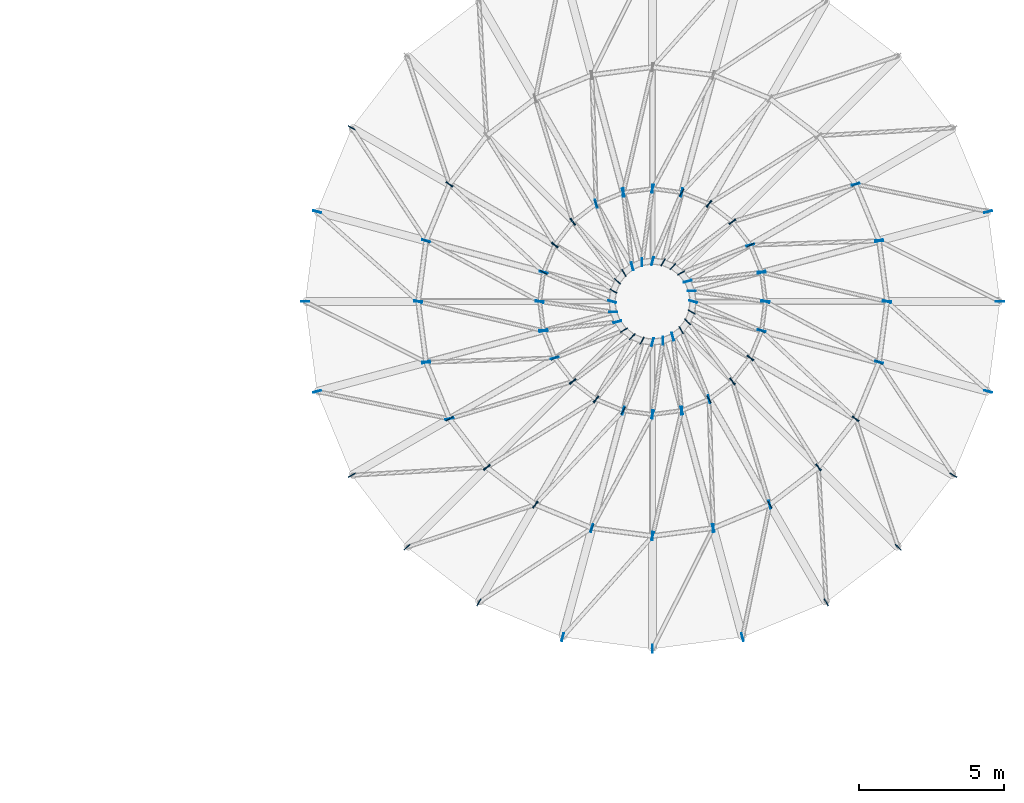
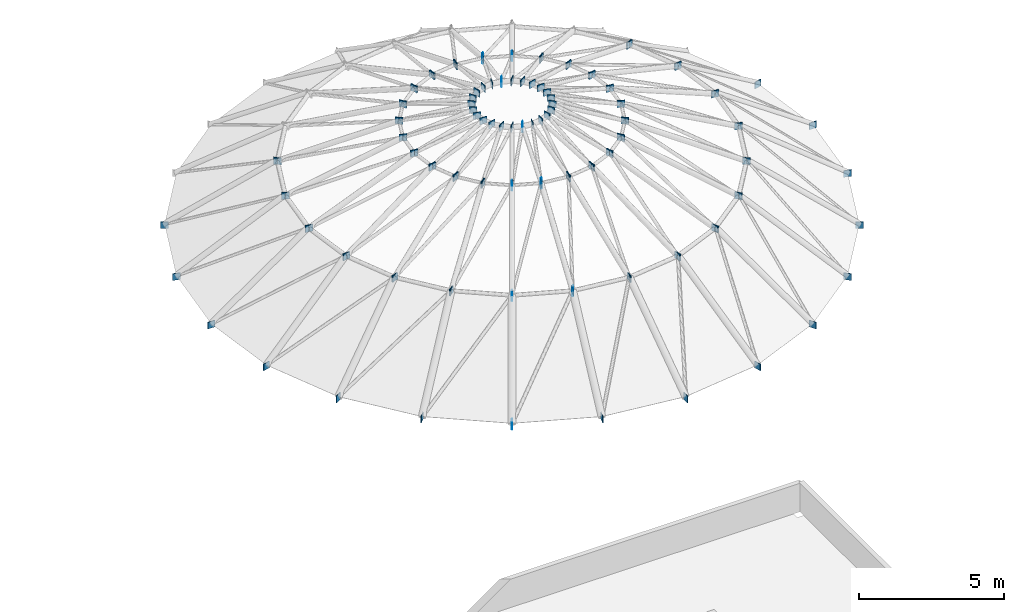
# One storey, part 27 of 32: 122 discrete accessories.
"""IFC4 building model written with IfcOpenShell, lengths in metres."""

import ifcopenshell
import ifcopenshell.guid

model = None  # the IFC model being written
_history = None  # IfcOwnerHistory: only IFC2X3 demands one
_inside = {}  # id of a spatial element -> (the spatial element, [elements in it])
_under = {}  # id of a project, library or spatial element -> (it, [spatial elements below it])
_declared = {}  # id of a project -> (the project, [libraries it declares])
_typed = {}  # id of a type object -> (the type object, [elements of that type])
_made_of = {}  # id of a material, layer set ... -> (it, [elements and type objects made of it])


def new_model(schema):
    """Start an empty IFC model of exactly this schema.

    Asked for "IFC4X3", IfcOpenShell would pick the latest addendum, in which some entities
    have other attributes; the version numbers below select the first issue.
    IFC2X3 requires an IfcOwnerHistory on every rooted entity: one is made here for all.
    """
    global model, _history
    if schema == "IFC4X3":
        model = ifcopenshell.file(schema_version=(4, 3, 0, 0))
    else:
        model = ifcopenshell.file(schema=schema)
    _inside.clear()
    _under.clear()
    _declared.clear()
    _typed.clear()
    _made_of.clear()
    _history = None
    if model.schema == "IFC2X3":
        org = make("IfcOrganization", Name="unknown")
        user = make(
            "IfcPersonAndOrganization",
            ThePerson=make("IfcPerson", FamilyName="unknown"),
            TheOrganization=org,
        )
        app = make(
            "IfcApplication",
            ApplicationDeveloper=org,
            Version="unknown",
            ApplicationFullName="unknown",
            ApplicationIdentifier="unknown",
        )
        _history = make(
            "IfcOwnerHistory",
            OwningUser=user,
            OwningApplication=app,
            ChangeAction="ADDED",
            CreationDate=0,
        )
    return model


def make(cls, **values):
    """One entity of the class cls with the attributes given. An attribute that is None is left unset."""
    return model.create_entity(
        cls, **{name: value for name, value in values.items() if value is not None}
    )


def rooted(cls, **values):
    """An entity with a GlobalId (a new one), such as an element, a storey or a relation."""
    return make(cls, GlobalId=ifcopenshell.guid.new(), OwnerHistory=_history, **values)


def si_unit(unit_type, name, prefix=None):
    """IfcSIUnit, for example si_unit("LENGTHUNIT", "METRE", prefix="MILLI")."""
    return make("IfcSIUnit", UnitType=unit_type, Prefix=prefix, Name=name)


def assignment(units):
    """IfcUnitAssignment: the units of a project."""
    return None if units is None else make("IfcUnitAssignment", Units=units)


def point(xyz):
    """IfcCartesianPoint."""
    return None if xyz is None else make("IfcCartesianPoint", Coordinates=xyz)


def direction(xyz):
    """IfcDirection."""
    return None if xyz is None else make("IfcDirection", DirectionRatios=xyz)


def frame(location, z_axis=None, x_axis=None):
    """IfcAxis2Placement3D, a coordinate frame: its origin and axes. An axis left out is left unset."""
    return make(
        "IfcAxis2Placement3D",
        Location=point(location),
        Axis=direction(z_axis),
        RefDirection=direction(x_axis),
    )


def frame_2d(location, x_axis=None):
    """IfcAxis2Placement2D, a coordinate frame in the plane: its origin and x axis."""
    return make(
        "IfcAxis2Placement2D", Location=point(location), RefDirection=direction(x_axis)
    )


def origin():
    """The frame at (0, 0, 0) with its axes left unset."""
    return frame((0.0, 0.0, 0.0))


def origin_2d():
    """The frame at (0, 0) in the plane with its x axis left unset."""
    return frame_2d((0.0, 0.0))


def place(relative_to, where):
    """IfcLocalPlacement: puts the frame where relative to a parent placement (None: the world)."""
    return make(
        "IfcLocalPlacement", PlacementRelTo=relative_to, RelativePlacement=where
    )


def context(
    kind, dimensions, precision=None, world=None, true_north=None, identifier=None
):
    """IfcGeometricRepresentationContext, for example the 3D "Model" context."""
    return make(
        "IfcGeometricRepresentationContext",
        ContextIdentifier=identifier,
        ContextType=kind,
        CoordinateSpaceDimension=dimensions,
        Precision=precision,
        WorldCoordinateSystem=world,
        TrueNorth=true_north,
    )


def subcontext(parent, identifier, kind, view, scale=None):
    """IfcGeometricRepresentationSubContext, for example "Body" below "Model"."""
    return make(
        "IfcGeometricRepresentationSubContext",
        ContextIdentifier=identifier,
        ContextType=kind,
        ParentContext=parent,
        TargetScale=scale,
        TargetView=view,
    )


def project(units=None, contexts=None):
    """IfcProject with its units and contexts."""
    return rooted(
        "IfcProject",
        Name="project",
        RepresentationContexts=contexts,
        UnitsInContext=assignment(units),
    )


def spatial(cls, under=None, at=None, **own):
    """A site, building, storey or space (cls), placed at a placement, below another one or the project."""
    s = rooted(cls, ObjectPlacement=at, **own)
    if under is not None:
        _under.setdefault(under.id(), (under, []))[1].append(s)
    return s


def profile(cls, at=None, kind="AREA", **sizes):
    """A parametric profile (cls). Its sizes go by their IFC names, for example OverallWidth=200.0."""
    return make(cls, ProfileType=kind, Position=at, **sizes)


def rectangle(**sizes):
    """IfcRectangleProfileDef."""
    return profile("IfcRectangleProfileDef", **sizes)


def extrude(swept, where, along, depth):
    """IfcExtrudedAreaSolid: the profile swept, set in the frame where, extruded along a direction by depth."""
    return make(
        "IfcExtrudedAreaSolid",
        SweptArea=swept,
        Position=where,
        ExtrudedDirection=direction(along),
        Depth=depth,
    )


def shape(context_of_items, identifier, shape_type, items):
    """IfcShapeRepresentation: the items that make up one representation, for example the "Body"."""
    return make(
        "IfcShapeRepresentation",
        ContextOfItems=context_of_items,
        RepresentationIdentifier=identifier,
        RepresentationType=shape_type,
        Items=items,
    )


def material(Name=None, Category=None):
    """IfcMaterial."""
    return make("IfcMaterial", Name=Name, Category=Category)


def made_of(thing, what):
    """Note that an element or type object is made of a material, layer set ...; save() writes the relation."""
    if what is not None:
        _made_of.setdefault(what.id(), (what, []))[1].append(thing)
    return thing


def type_object(cls, material=None, **own):
    """A type object (cls), such as IfcWallType, which elements share."""
    return made_of(rooted(cls, **own), material)


def element(
    cls,
    number,
    at=None,
    inside=None,
    cuts=None,
    type_object=None,
    material=None,
    context=None,
    identifier="Body",
    shape_type=None,
    held_by="IfcProductDefinitionShape",
    body=None,
    shapes=None,
    **own,
):
    """One element of the class cls, such as IfcWall. Its Tag is "e" and its number.

    at: its placement. inside: the storey or other place that contains it. cuts: it is an
    opening in that element (IfcRelVoidsElement). A single representation is given by context,
    identifier, shape_type and body (its items); several are given by shapes. held_by: the class
    of the entity that holds the representations. save() writes the other relations.
    """
    e = rooted(cls, Tag="e%d" % number, ObjectPlacement=at, **own)
    if body is not None:
        shapes = [shape(context, identifier, shape_type, body)]
    if shapes is not None:
        e.Representation = make(held_by, Representations=shapes)
    if inside is not None:
        _inside.setdefault(inside.id(), (inside, []))[1].append(e)
    if cuts is not None:
        rooted(
            "IfcRelVoidsElement", RelatingBuildingElement=cuts, RelatedOpeningElement=e
        )
    if type_object is not None:
        _typed.setdefault(type_object.id(), (type_object, []))[1].append(e)
    return made_of(e, material)


def aggregate(whole, parts):
    """IfcRelAggregates: a whole, such as a stair, and the parts it consists of."""
    return rooted("IfcRelAggregates", RelatingObject=whole, RelatedObjects=parts)


def save(model, path):
    """Write the relations noted so far, then the file.

    IfcRelAggregates (storeys below a building ...), IfcRelContainedInSpatialStructure (elements
    in a storey), IfcRelDefinesByType, IfcRelAssociatesMaterial and IfcRelDeclares: one each for
    every whole, place, type object, material and project.
    """
    for whole, parts in _under.values():
        aggregate(whole, parts)
    for where, things in _inside.values():
        rooted(
            "IfcRelContainedInSpatialStructure",
            RelatedElements=things,
            RelatingStructure=where,
        )
    for kind, things in _typed.values():
        rooted("IfcRelDefinesByType", RelatedObjects=things, RelatingType=kind)
    for what, things in _made_of.values():
        rooted("IfcRelAssociatesMaterial", RelatedObjects=things, RelatingMaterial=what)
    for by, libraries in _declared.values():
        rooted("IfcRelDeclares", RelatingContext=by, RelatedDefinitions=libraries)
    model.write(path)


model = new_model("IFC4")

# Units and contexts
model_context = context("Model", 3, precision=1e-05, world=origin(), true_north=direction((0.0, 1.0)))
body_context = subcontext(model_context, "Body", "Model", "MODEL_VIEW")
ifc_project = project(units=[si_unit("LENGTHUNIT", "METRE"), si_unit("AREAUNIT", "SQUARE_METRE"), si_unit("VOLUMEUNIT", "CUBIC_METRE"), si_unit("PLANEANGLEUNIT", "RADIAN"), si_unit("MASSUNIT", "GRAM", prefix="KILO")], contexts=[model_context])

# Site, building, storey
site_placement = place(None, origin())
site = spatial("IfcSite", under=ifc_project, at=site_placement, CompositionType="ELEMENT")
building_placement = place(site_placement, origin())
building = spatial("IfcBuilding", under=site, at=building_placement, Name="Kandorven Conservatory and Botanical Research Centre", CompositionType="ELEMENT")
storey_placement = place(building_placement, frame((0.0, 0.0, 17.10009765625)))
storey = spatial("IfcBuildingStorey", under=building, at=storey_placement, Name="L04", CompositionType="ELEMENT", Elevation=17.10009765625)

# Discrete accessories
ifc_material = material(Name="Steel S355 (IS 2062 E350)", Category="steel")
discrete_accessory_type = type_object("IfcDiscreteAccessoryType", Name="BraceGussetPlate", PredefinedType="BRACKET", material=ifc_material)
for number, where, z_axis, x_axis, name in (
    (1, (99.60009765625, 47.800048828125, 0.4599609375), (0.0, 0.0, 1.0), (1.0, 0.0, 0.0), "Conservatory dome node gusset plate T3-S01-A"),
    (2, (95.424072265625, 49.896484375, 3.15966796875), (0.0, 0.0, 1.0), (1.0, 0.0, 0.0), "Conservatory dome node gusset plate T3-S01-B"),
    (3, (99.191162109375, 50.90576171875, 0.4599609375), (0.0, 0.0, 1.0), (0.965925826289, 0.258819045103, 0.0), "Conservatory dome node gusset plate T3-S02-A"),
    (4, (94.61474609375, 51.85009765625, 3.15966796875), (0.0, 0.0, 1.0), (0.965925826289, 0.258819045103, 0.0), "Conservatory dome node gusset plate T3-S02-B"),
    (5, (80.585205078125, 51.85009765625, 3.15966796875), (0.0, 0.0, 1.0), (-0.707106781187, 0.707106781187, 0.0), "Conservatory dome node gusset plate T3-S10-B"),
    (6, (77.207763671875, 53.800048828125, 0.4599609375), (0.0, 0.0, 1.0), (-0.866025403784, 0.5, 0.0), "Conservatory dome node gusset plate T3-S11-A"),
    (7, (79.77587890625, 49.896484375, 3.15966796875), (0.0, 0.0, 1.0), (-0.866025403784, 0.5, 0.0), "Conservatory dome node gusset plate T3-S11-B"),
    (8, (76.0087890625, 50.90576171875, 0.4599609375), (0.0, 0.0, 1.0), (-0.965925826289, 0.258819045103, 0.0), "Conservatory dome node gusset plate T3-S12-A"),
    (9, (79.5, 47.800048828125, 3.15966796875), (0.0, 0.0, 1.0), (-0.965925826289, 0.258819045103, 0.0), "Conservatory dome node gusset plate T3-S12-B"),
    (10, (75.60009765625, 47.800048828125, 0.4599609375), (0.0, 0.0, 1.0), (-1.0, 0.0, 0.0), "Conservatory dome node gusset plate T3-S13-A"),
    (11, (79.77587890625, 45.70361328125, 3.15966796875), (0.0, 0.0, 1.0), (-1.0, 0.0, 0.0), "Conservatory dome node gusset plate T3-S13-B"),
    (12, (76.0087890625, 44.694091796875, 0.4599609375), (0.0, 0.0, 1.0), (-0.965925826289, -0.258819045103, 0.0), "Conservatory dome node gusset plate T3-S14-A"),
    (13, (80.585205078125, 43.75, 3.15966796875), (0.0, 0.0, 1.0), (-0.965925826289, -0.258819045103, 0.0), "Conservatory dome node gusset plate T3-S14-B"),
    (14, (77.207763671875, 41.800048828125, 0.4599609375), (0.0, 0.0, 1.0), (-0.866025403784, -0.5, 0.0), "Conservatory dome node gusset plate T3-S15-A"),
    (15, (81.872314453125, 42.072509765625, 3.15966796875), (0.0, 0.0, 1.0), (-0.866025403784, -0.5, 0.0), "Conservatory dome node gusset plate T3-S15-B"),
    (16, (79.11474609375, 39.314697265625, 0.4599609375), (0.0, 0.0, 1.0), (-0.707106781187, -0.707106781187, 0.0), "Conservatory dome node gusset plate T3-S16-A"),
    (17, (83.550048828125, 40.78515625, 3.15966796875), (0.0, 0.0, 1.0), (-0.707106781187, -0.707106781187, 0.0), "Conservatory dome node gusset plate T3-S16-B"),
    (18, (81.60009765625, 37.40771484375, 0.4599609375), (0.0, 0.0, 1.0), (-0.5, -0.866025403784, 0.0), "Conservatory dome node gusset plate T3-S17-A"),
    (19, (85.503662109375, 39.97607421875, 3.15966796875), (0.0, 0.0, 1.0), (-0.5, -0.866025403784, 0.0), "Conservatory dome node gusset plate T3-S17-B"),
    (20, (84.494140625, 36.208984375, 0.4599609375), (0.0, 0.0, 1.0), (-0.258819045103, -0.965925826289, 0.0), "Conservatory dome node gusset plate T3-S18-A"),
    (21, (87.60009765625, 39.699951171875, 3.15966796875), (0.0, 0.0, 1.0), (-0.258819045103, -0.965925826289, 0.0), "Conservatory dome node gusset plate T3-S18-B"),
    (22, (87.60009765625, 35.800048828125, 0.4599609375), (0.0, 0.0, 1.0), (0.0, -1.0, 0.0), "Conservatory dome node gusset plate T3-S19-A"),
    (23, (89.6962890625, 39.97607421875, 3.15966796875), (0.0, 0.0, 1.0), (0.0, -1.0, 0.0), "Conservatory dome node gusset plate T3-S19-B"),
    (24, (90.705810546875, 36.208984375, 0.4599609375), (0.0, 0.0, 1.0), (0.258819045103, -0.965925826289, 0.0), "Conservatory dome node gusset plate T3-S20-A"),
    (25, (91.64990234375, 40.78515625, 3.15966796875), (0.0, 0.0, 1.0), (0.258819045103, -0.965925826289, 0.0), "Conservatory dome node gusset plate T3-S20-B"),
    (26, (93.60009765625, 37.40771484375, 0.4599609375), (0.0, 0.0, 1.0), (0.5, -0.866025403784, 0.0), "Conservatory dome node gusset plate T3-S21-A"),
    (27, (93.32763671875, 42.072509765625, 3.15966796875), (0.0, 0.0, 1.0), (0.5, -0.866025403784, 0.0), "Conservatory dome node gusset plate T3-S21-B"),
    (28, (96.085205078125, 39.314697265625, 0.4599609375), (0.0, 0.0, 1.0), (0.707106781187, -0.707106781187, 0.0), "Conservatory dome node gusset plate T3-S22-A"),
    (29, (94.61474609375, 43.75, 3.15966796875), (0.0, 0.0, 1.0), (0.707106781187, -0.707106781187, 0.0), "Conservatory dome node gusset plate T3-S22-B"),
    (30, (97.9921875, 41.800048828125, 0.4599609375), (0.0, 0.0, 1.0), (0.866025403784, -0.5, 0.0), "Conservatory dome node gusset plate T3-S23-A"),
    (31, (95.424072265625, 45.70361328125, 3.15966796875), (0.0, 0.0, 1.0), (0.866025403784, -0.5, 0.0), "Conservatory dome node gusset plate T3-S23-B"),
    (32, (99.191162109375, 44.694091796875, 0.4599609375), (0.0, 0.0, 1.0), (0.965925826289, -0.258819045103, 0.0), "Conservatory dome node gusset plate T3-S24-A"),
    (33, (95.699951171875, 47.800048828125, 3.15966796875), (0.0, 0.0, 1.0), (0.965925826289, -0.258819045103, 0.0), "Conservatory dome node gusset plate T3-S24-B"),
    (34, (95.699951171875, 47.800048828125, 3.15966796875), (0.0, 0.0, 1.0), (1.0, 0.0, 0.0), "Conservatory dome node gusset plate T4-S01-A"),
    (35, (91.3671875, 48.809326171875, 4.85986328125), (0.0, 0.0, 1.0), (1.0, 0.0, 0.0), "Conservatory dome node gusset plate T4-S01-B"),
    (36, (95.424072265625, 49.896484375, 3.15966796875), (0.0, 0.0, 1.0), (0.965925826289, 0.258819045103, 0.0), "Conservatory dome node gusset plate T4-S02-A"),
    (37, (90.9775390625, 49.75, 4.85986328125), (0.0, 0.0, 1.0), (0.965925826289, 0.258819045103, 0.0), "Conservatory dome node gusset plate T4-S02-B"),
    (38, (94.61474609375, 51.85009765625, 3.15966796875), (0.0, 0.0, 1.0), (0.866025403784, 0.5, 0.0), "Conservatory dome node gusset plate T4-S03-A"),
    (39, (90.357666015625, 50.5576171875, 4.85986328125), (0.0, 0.0, 1.0), (0.866025403784, 0.5, 0.0), "Conservatory dome node gusset plate T4-S03-B"),
    (40, (89.550048828125, 51.177490234375, 4.85986328125), (0.0, 0.0, 1.0), (0.707106781187, 0.707106781187, 0.0), "Conservatory dome node gusset plate T4-S04-B"),
    (41, (88.609375, 51.567138671875, 4.85986328125), (0.0, 0.0, 1.0), (0.5, 0.866025403784, 0.0), "Conservatory dome node gusset plate T4-S05-B"),
    (42, (87.60009765625, 51.699951171875, 4.85986328125), (0.0, 0.0, 1.0), (0.258819045103, 0.965925826289, 0.0), "Conservatory dome node gusset plate T4-S06-B"),
    (43, (86.590576171875, 51.567138671875, 4.85986328125), (0.0, 0.0, 1.0), (0.0, 1.0, 0.0), "Conservatory dome node gusset plate T4-S07-B"),
    (44, (85.64990234375, 51.177490234375, 4.85986328125), (0.0, 0.0, 1.0), (-0.258819045103, 0.965925826289, 0.0), "Conservatory dome node gusset plate T4-S08-B"),
    (45, (84.84228515625, 50.5576171875, 4.85986328125), (0.0, 0.0, 1.0), (-0.5, 0.866025403784, 0.0), "Conservatory dome node gusset plate T4-S09-B"),
    (46, (84.222412109375, 49.75, 4.85986328125), (0.0, 0.0, 1.0), (-0.707106781187, 0.707106781187, 0.0), "Conservatory dome node gusset plate T4-S10-B"),
    (47, (80.585205078125, 51.85009765625, 3.15966796875), (0.0, 0.0, 1.0), (-0.866025403784, 0.5, 0.0), "Conservatory dome node gusset plate T4-S11-A"),
    (48, (83.8330078125, 48.809326171875, 4.85986328125), (0.0, 0.0, 1.0), (-0.866025403784, 0.5, 0.0), "Conservatory dome node gusset plate T4-S11-B"),
    (49, (79.77587890625, 49.896484375, 3.15966796875), (0.0, 0.0, 1.0), (-0.965925826289, 0.258819045103, 0.0), "Conservatory dome node gusset plate T4-S12-A"),
    (50, (83.699951171875, 47.800048828125, 4.85986328125), (0.0, 0.0, 1.0), (-0.965925826289, 0.258819045103, 0.0), "Conservatory dome node gusset plate T4-S12-B"),
    (51, (79.5, 47.800048828125, 3.15966796875), (0.0, 0.0, 1.0), (-1.0, 0.0, 0.0), "Conservatory dome node gusset plate T4-S13-A"),
    (52, (83.8330078125, 46.79052734375, 4.85986328125), (0.0, 0.0, 1.0), (-1.0, 0.0, 0.0), "Conservatory dome node gusset plate T4-S13-B"),
    (53, (79.77587890625, 45.70361328125, 3.15966796875), (0.0, 0.0, 1.0), (-0.965925826289, -0.258819045103, 0.0), "Conservatory dome node gusset plate T4-S14-A"),
    (54, (84.222412109375, 45.85009765625, 4.85986328125), (0.0, 0.0, 1.0), (-0.965925826289, -0.258819045103, 0.0), "Conservatory dome node gusset plate T4-S14-B"),
    (55, (80.585205078125, 43.75, 3.15966796875), (0.0, 0.0, 1.0), (-0.866025403784, -0.5, 0.0), "Conservatory dome node gusset plate T4-S15-A"),
    (56, (84.84228515625, 45.042236328125, 4.85986328125), (0.0, 0.0, 1.0), (-0.866025403784, -0.5, 0.0), "Conservatory dome node gusset plate T4-S15-B"),
    (57, (81.872314453125, 42.072509765625, 3.15966796875), (0.0, 0.0, 1.0), (-0.707106781187, -0.707106781187, 0.0), "Conservatory dome node gusset plate T4-S16-A"),
    (58, (85.64990234375, 44.422607421875, 4.85986328125), (0.0, 0.0, 1.0), (-0.707106781187, -0.707106781187, 0.0), "Conservatory dome node gusset plate T4-S16-B"),
    (59, (83.550048828125, 40.78515625, 3.15966796875), (0.0, 0.0, 1.0), (-0.5, -0.866025403784, 0.0), "Conservatory dome node gusset plate T4-S17-A"),
    (60, (86.590576171875, 44.032958984375, 4.85986328125), (0.0, 0.0, 1.0), (-0.5, -0.866025403784, 0.0), "Conservatory dome node gusset plate T4-S17-B"),
    (61, (85.503662109375, 39.97607421875, 3.15966796875), (0.0, 0.0, 1.0), (-0.258819045103, -0.965925826289, 0.0), "Conservatory dome node gusset plate T4-S18-A"),
    (62, (87.60009765625, 43.89990234375, 4.85986328125), (0.0, 0.0, 1.0), (-0.258819045103, -0.965925826289, 0.0), "Conservatory dome node gusset plate T4-S18-B"),
    (63, (87.60009765625, 39.699951171875, 3.15966796875), (0.0, 0.0, 1.0), (0.0, -1.0, 0.0), "Conservatory dome node gusset plate T4-S19-A"),
    (64, (88.609375, 44.032958984375, 4.85986328125), (0.0, 0.0, 1.0), (0.0, -1.0, 0.0), "Conservatory dome node gusset plate T4-S19-B"),
    (65, (89.6962890625, 39.97607421875, 3.15966796875), (0.0, 0.0, 1.0), (0.258819045103, -0.965925826289, 0.0), "Conservatory dome node gusset plate T4-S20-A"),
    (66, (89.550048828125, 44.422607421875, 4.85986328125), (0.0, 0.0, 1.0), (0.258819045103, -0.965925826289, 0.0), "Conservatory dome node gusset plate T4-S20-B"),
    (67, (91.64990234375, 40.78515625, 3.15966796875), (0.0, 0.0, 1.0), (0.5, -0.866025403784, 0.0), "Conservatory dome node gusset plate T4-S21-A"),
    (68, (90.357666015625, 45.042236328125, 4.85986328125), (0.0, 0.0, 1.0), (0.5, -0.866025403784, 0.0), "Conservatory dome node gusset plate T4-S21-B"),
    (69, (93.32763671875, 42.072509765625, 3.15966796875), (0.0, 0.0, 1.0), (0.707106781187, -0.707106781187, 0.0), "Conservatory dome node gusset plate T4-S22-A"),
    (70, (90.9775390625, 45.85009765625, 4.85986328125), (0.0, 0.0, 1.0), (0.707106781187, -0.707106781187, 0.0), "Conservatory dome node gusset plate T4-S22-B"),
    (71, (94.61474609375, 43.75, 3.15966796875), (0.0, 0.0, 1.0), (0.866025403784, -0.5, 0.0), "Conservatory dome node gusset plate T4-S23-A"),
    (72, (91.3671875, 46.79052734375, 4.85986328125), (0.0, 0.0, 1.0), (0.866025403784, -0.5, 0.0), "Conservatory dome node gusset plate T4-S23-B"),
    (73, (95.424072265625, 45.70361328125, 3.15966796875), (0.0, 0.0, 1.0), (0.965925826289, -0.258819045103, 0.0), "Conservatory dome node gusset plate T4-S24-A"),
    (74, (91.5, 47.800048828125, 4.85986328125), (0.0, 0.0, 1.0), (0.965925826289, -0.258819045103, 0.0), "Conservatory dome node gusset plate T4-S24-B"),
    (75, (91.5, 47.800048828125, 4.85986328125), (0.0, 0.0, 1.0), (1.0, 0.0, 0.0), "Conservatory dome node gusset plate T5-S01-A"),
    (76, (88.952392578125, 48.162353515625, 5.56005859375), (0.0, 0.0, 1.0), (1.0, 0.0, 0.0), "Conservatory dome node gusset plate T5-S01-B"),
    (77, (91.3671875, 48.809326171875, 4.85986328125), (0.0, 0.0, 1.0), (0.965925826289, 0.258819045103, 0.0), "Conservatory dome node gusset plate T5-S02-A"),
    (78, (88.8125, 48.5, 5.56005859375), (0.0, 0.0, 1.0), (0.965925826289, 0.258819045103, 0.0), "Conservatory dome node gusset plate T5-S02-B"),
    (79, (90.9775390625, 49.75, 4.85986328125), (0.0, 0.0, 1.0), (0.866025403784, 0.5, 0.0), "Conservatory dome node gusset plate T5-S03-A"),
    (80, (88.58984375, 48.789794921875, 5.56005859375), (0.0, 0.0, 1.0), (0.866025403784, 0.5, 0.0), "Conservatory dome node gusset plate T5-S03-B"),
    (81, (90.357666015625, 50.5576171875, 4.85986328125), (0.0, 0.0, 1.0), (0.707106781187, 0.707106781187, 0.0), "Conservatory dome node gusset plate T5-S04-A"),
    (82, (88.300048828125, 49.012451171875, 5.56005859375), (0.0, 0.0, 1.0), (0.707106781187, 0.707106781187, 0.0), "Conservatory dome node gusset plate T5-S04-B"),
    (83, (89.550048828125, 51.177490234375, 4.85986328125), (0.0, 0.0, 1.0), (0.5, 0.866025403784, 0.0), "Conservatory dome node gusset plate T5-S05-A"),
    (84, (87.96240234375, 49.15234375, 5.56005859375), (0.0, 0.0, 1.0), (0.5, 0.866025403784, 0.0), "Conservatory dome node gusset plate T5-S05-B"),
    (85, (88.609375, 51.567138671875, 4.85986328125), (0.0, 0.0, 1.0), (0.258819045103, 0.965925826289, 0.0), "Conservatory dome node gusset plate T5-S06-A"),
    (86, (87.60009765625, 49.199951171875, 5.56005859375), (0.0, 0.0, 1.0), (0.258819045103, 0.965925826289, 0.0), "Conservatory dome node gusset plate T5-S06-B"),
    (87, (87.60009765625, 51.699951171875, 4.85986328125), (0.0, 0.0, 1.0), (0.0, 1.0, 0.0), "Conservatory dome node gusset plate T5-S07-A"),
    (88, (87.23779296875, 49.15234375, 5.56005859375), (0.0, 0.0, 1.0), (0.0, 1.0, 0.0), "Conservatory dome node gusset plate T5-S07-B"),
    (89, (86.590576171875, 51.567138671875, 4.85986328125), (0.0, 0.0, 1.0), (-0.258819045103, 0.965925826289, 0.0), "Conservatory dome node gusset plate T5-S08-A"),
    (90, (86.89990234375, 49.012451171875, 5.56005859375), (0.0, 0.0, 1.0), (-0.258819045103, 0.965925826289, 0.0), "Conservatory dome node gusset plate T5-S08-B"),
    (91, (85.64990234375, 51.177490234375, 4.85986328125), (0.0, 0.0, 1.0), (-0.5, 0.866025403784, 0.0), "Conservatory dome node gusset plate T5-S09-A"),
    (92, (86.610107421875, 48.789794921875, 5.56005859375), (0.0, 0.0, 1.0), (-0.5, 0.866025403784, 0.0), "Conservatory dome node gusset plate T5-S09-B"),
    (93, (84.84228515625, 50.5576171875, 4.85986328125), (0.0, 0.0, 1.0), (-0.707106781187, 0.707106781187, 0.0), "Conservatory dome node gusset plate T5-S10-A"),
    (94, (86.3876953125, 48.5, 5.56005859375), (0.0, 0.0, 1.0), (-0.707106781187, 0.707106781187, 0.0), "Conservatory dome node gusset plate T5-S10-B"),
    (95, (84.222412109375, 49.75, 4.85986328125), (0.0, 0.0, 1.0), (-0.866025403784, 0.5, 0.0), "Conservatory dome node gusset plate T5-S11-A"),
    (96, (86.247802734375, 48.162353515625, 5.56005859375), (0.0, 0.0, 1.0), (-0.866025403784, 0.5, 0.0), "Conservatory dome node gusset plate T5-S11-B"),
    (97, (83.8330078125, 48.809326171875, 4.85986328125), (0.0, 0.0, 1.0), (-0.965925826289, 0.258819045103, 0.0), "Conservatory dome node gusset plate T5-S12-A"),
    (98, (86.199951171875, 47.800048828125, 5.56005859375), (0.0, 0.0, 1.0), (-0.965925826289, 0.258819045103, 0.0), "Conservatory dome node gusset plate T5-S12-B"),
    (99, (83.699951171875, 47.800048828125, 4.85986328125), (0.0, 0.0, 1.0), (-1.0, 0.0, 0.0), "Conservatory dome node gusset plate T5-S13-A"),
    (100, (86.247802734375, 47.437744140625, 5.56005859375), (0.0, 0.0, 1.0), (-1.0, 0.0, 0.0), "Conservatory dome node gusset plate T5-S13-B"),
    (101, (83.8330078125, 46.79052734375, 4.85986328125), (0.0, 0.0, 1.0), (-0.965925826289, -0.258819045103, 0.0), "Conservatory dome node gusset plate T5-S14-A"),
    (102, (86.3876953125, 47.10009765625, 5.56005859375), (0.0, 0.0, 1.0), (-0.965925826289, -0.258819045103, 0.0), "Conservatory dome node gusset plate T5-S14-B"),
    (103, (84.222412109375, 45.85009765625, 4.85986328125), (0.0, 0.0, 1.0), (-0.866025403784, -0.5, 0.0), "Conservatory dome node gusset plate T5-S15-A"),
    (104, (86.610107421875, 46.81005859375, 5.56005859375), (0.0, 0.0, 1.0), (-0.866025403784, -0.5, 0.0), "Conservatory dome node gusset plate T5-S15-B"),
    (105, (84.84228515625, 45.042236328125, 4.85986328125), (0.0, 0.0, 1.0), (-0.707106781187, -0.707106781187, 0.0), "Conservatory dome node gusset plate T5-S16-A"),
    (106, (86.89990234375, 46.587646484375, 5.56005859375), (0.0, 0.0, 1.0), (-0.707106781187, -0.707106781187, 0.0), "Conservatory dome node gusset plate T5-S16-B"),
    (107, (85.64990234375, 44.422607421875, 4.85986328125), (0.0, 0.0, 1.0), (-0.5, -0.866025403784, 0.0), "Conservatory dome node gusset plate T5-S17-A"),
    (108, (87.23779296875, 46.44775390625, 5.56005859375), (0.0, 0.0, 1.0), (-0.5, -0.866025403784, 0.0), "Conservatory dome node gusset plate T5-S17-B"),
    (109, (86.590576171875, 44.032958984375, 4.85986328125), (0.0, 0.0, 1.0), (-0.258819045103, -0.965925826289, 0.0), "Conservatory dome node gusset plate T5-S18-A"),
    (110, (87.60009765625, 46.39990234375, 5.56005859375), (0.0, 0.0, 1.0), (-0.258819045103, -0.965925826289, 0.0), "Conservatory dome node gusset plate T5-S18-B"),
    (111, (87.60009765625, 43.89990234375, 4.85986328125), (0.0, 0.0, 1.0), (0.0, -1.0, 0.0), "Conservatory dome node gusset plate T5-S19-A"),
    (112, (87.96240234375, 46.44775390625, 5.56005859375), (0.0, 0.0, 1.0), (0.0, -1.0, 0.0), "Conservatory dome node gusset plate T5-S19-B"),
    (113, (88.609375, 44.032958984375, 4.85986328125), (0.0, 0.0, 1.0), (0.258819045103, -0.965925826289, 0.0), "Conservatory dome node gusset plate T5-S20-A"),
    (114, (88.300048828125, 46.587646484375, 5.56005859375), (0.0, 0.0, 1.0), (0.258819045103, -0.965925826289, 0.0), "Conservatory dome node gusset plate T5-S20-B"),
    (115, (89.550048828125, 44.422607421875, 4.85986328125), (0.0, 0.0, 1.0), (0.5, -0.866025403784, 0.0), "Conservatory dome node gusset plate T5-S21-A"),
    (116, (88.58984375, 46.81005859375, 5.56005859375), (0.0, 0.0, 1.0), (0.5, -0.866025403784, 0.0), "Conservatory dome node gusset plate T5-S21-B"),
    (117, (90.357666015625, 45.042236328125, 4.85986328125), (0.0, 0.0, 1.0), (0.707106781187, -0.707106781187, 0.0), "Conservatory dome node gusset plate T5-S22-A"),
    (118, (88.8125, 47.10009765625, 5.56005859375), (0.0, 0.0, 1.0), (0.707106781187, -0.707106781187, 0.0), "Conservatory dome node gusset plate T5-S22-B"),
    (119, (90.9775390625, 45.85009765625, 4.85986328125), (0.0, 0.0, 1.0), (0.866025403784, -0.5, 0.0), "Conservatory dome node gusset plate T5-S23-A"),
    (120, (88.952392578125, 47.437744140625, 5.56005859375), (0.0, 0.0, 1.0), (0.866025403784, -0.5, 0.0), "Conservatory dome node gusset plate T5-S23-B"),
    (121, (91.3671875, 46.79052734375, 4.85986328125), (0.0, 0.0, 1.0), (0.965925826289, -0.258819045103, 0.0), "Conservatory dome node gusset plate T5-S24-A"),
    (122, (89.0, 47.800048828125, 5.56005859375), (0.0, 0.0, 1.0), (0.965925826289, -0.258819045103, 0.0), "Conservatory dome node gusset plate T5-S24-B"),
):
    element("IfcDiscreteAccessory", number, at=place(storey_placement, frame(where, z_axis=z_axis, x_axis=x_axis)), inside=storey, type_object=discrete_accessory_type, Name=name, PredefinedType="BRACKET", context=body_context, shape_type="SweptSolid", body=[
        extrude(rectangle(XDim=0.280029296875, YDim=0.028076171875, at=origin_2d()), origin(), (0.0, 0.0, 1.0), 0.280029296875),
    ])

save(model, "model.ifc")
